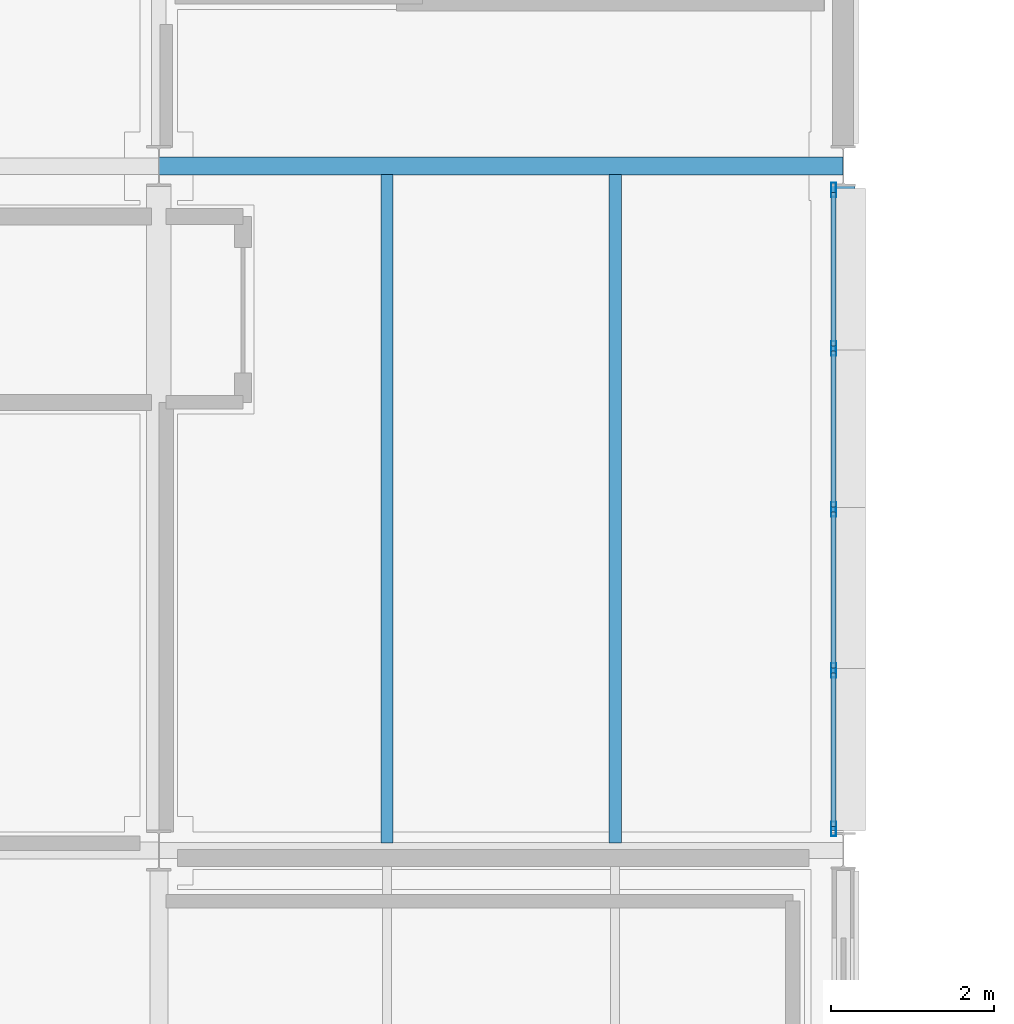
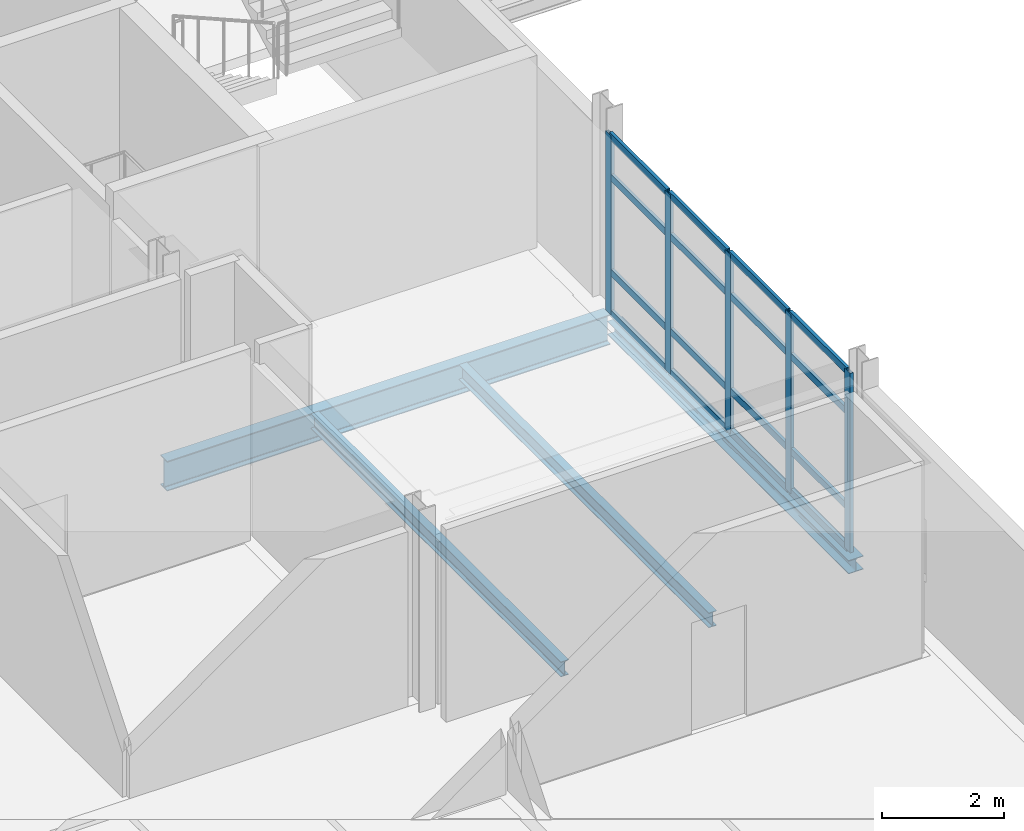
# One storey, part 94 of 131: 21 members, 4 beams, 1 element without a shape of its own.
"""IFC4 building model written with IfcOpenShell, lengths in metres."""

from ifc_helpers import new_model, si_unit, direction, frame, origin, origin_2d, place, context, subcontext, project, spatial, hollow_rectangle, i_section, extrude, material, material_profile, profile_set, type_object, element, aggregate, save


model = new_model("IFC4")

# Units and contexts
model_context = context("Model", 3, precision=1e-05, world=origin(), true_north=direction((0.0, 1.0)))
body_context = subcontext(model_context, "Body", "Model", "MODEL_VIEW")
ifc_project = project(units=[si_unit("LENGTHUNIT", "METRE"), si_unit("AREAUNIT", "SQUARE_METRE"), si_unit("VOLUMEUNIT", "CUBIC_METRE"), si_unit("PLANEANGLEUNIT", "RADIAN"), si_unit("MASSUNIT", "GRAM", prefix="KILO")], contexts=[model_context])

# Site, building, storey
site_placement = place(None, origin())
site = spatial("IfcSite", under=ifc_project, at=site_placement, CompositionType="ELEMENT")
building_placement = place(site_placement, origin())
building = spatial("IfcBuilding", under=site, at=building_placement, Name="Mersafa Astral City Hall", CompositionType="ELEMENT")
storey_placement = place(building_placement, frame((0.0, 0.0, 13.949951171875)))
storey = spatial("IfcBuildingStorey", under=building, at=storey_placement, Name="L03", CompositionType="ELEMENT", Elevation=13.949951171875)

# Curtain wall, members
ifc_material_1 = material(Name="Anodised bronze aluminium framing", Category="aluminium")
curtain_wall_type = type_object("IfcCurtainWallType", Name="ENV-CW-6", PredefinedType="USERDEFINED", material=ifc_material_1)
curtain_wall_placement = place(storey_placement, origin())
curtain_wall = element("IfcCurtainWall", 1, at=curtain_wall_placement, inside=storey, type_object=curtain_wall_type, Name="L03 Unitised solar curtain wall 167", ObjectType="UNITISED CURTAIN WALL", PredefinedType="USERDEFINED")
ifc_material_profile_1 = material_profile(ifc_material_1, hollow_rectangle(XDim=0.06005859375, YDim=0.179931640625, WallThickness=0.00390625, at=origin_2d()), Name="RHS 60x180x4")
ifc_profile_set_1 = profile_set([ifc_material_profile_1], Name="Anodised bronze aluminium framing")
member_type_1 = type_object("IfcMemberType", Name="ENV-CW-MUL-1", PredefinedType="MULLION", material=ifc_profile_set_1)
member_1_placement = place(storey_placement, frame((176.280029296875, 101.06689453125, -0.001953125), z_axis=(0.0, 0.0, 1.0), x_axis=(-1.0, 0.0, 0.0)))
member_1 = element("IfcMember", 2, at=member_1_placement, type_object=member_type_1, Name="CW-6 mullion 1", PredefinedType="MULLION", context=body_context, shape_type="SweptSolid", body=[
    extrude(hollow_rectangle(XDim=0.06005859375, YDim=0.179931640625, WallThickness=0.00390625, at=origin_2d()), origin(), (0.0, 0.0, 1.0), 3.593994140625),
])
member_2_placement = place(storey_placement, frame((176.280029296875, 103.01220703125, -0.001953125), z_axis=(0.0, 0.0, 1.0), x_axis=(-1.0, 0.0, 0.0)))
member_2 = element("IfcMember", 3, at=member_2_placement, type_object=member_type_1, Name="CW-6 mullion 2", PredefinedType="MULLION", context=body_context, shape_type="SweptSolid", body=[
    extrude(hollow_rectangle(XDim=0.06005859375, YDim=0.179931640625, WallThickness=0.00390625, at=origin_2d()), origin(), (0.0, 0.0, 1.0), 3.593994140625),
])
member_3_placement = place(storey_placement, frame((176.280029296875, 104.987548828125, -0.001953125), z_axis=(0.0, 0.0, 1.0), x_axis=(-1.0, 0.0, 0.0)))
member_3 = element("IfcMember", 4, at=member_3_placement, type_object=member_type_1, Name="CW-6 mullion 3", PredefinedType="MULLION", context=body_context, shape_type="SweptSolid", body=[
    extrude(hollow_rectangle(XDim=0.06005859375, YDim=0.179931640625, WallThickness=0.00390625, at=origin_2d()), origin(), (0.0, 0.0, 1.0), 3.593994140625),
])
member_4_placement = place(storey_placement, frame((176.280029296875, 106.962646484375, -0.001953125), z_axis=(0.0, 0.0, 1.0), x_axis=(-1.0, 0.0, 0.0)))
member_4 = element("IfcMember", 5, at=member_4_placement, type_object=member_type_1, Name="CW-6 mullion 4", PredefinedType="MULLION", context=body_context, shape_type="SweptSolid", body=[
    extrude(hollow_rectangle(XDim=0.06005859375, YDim=0.179931640625, WallThickness=0.00390625, at=origin_2d()), origin(), (0.0, 0.0, 1.0), 3.593994140625),
])
member_5_placement = place(storey_placement, frame((176.280029296875, 108.907958984375, -0.001953125), z_axis=(0.0, 0.0, 1.0), x_axis=(-1.0, 0.0, 0.0)))
member_5 = element("IfcMember", 6, at=member_5_placement, type_object=member_type_1, Name="CW-6 mullion 5", PredefinedType="MULLION", context=body_context, shape_type="SweptSolid", body=[
    extrude(hollow_rectangle(XDim=0.06005859375, YDim=0.179931640625, WallThickness=0.00390625, at=origin_2d()), origin(), (0.0, 0.0, 1.0), 3.593994140625),
])
ifc_material_profile_2 = material_profile(ifc_material_1, hollow_rectangle(XDim=0.06005859375, YDim=0.139892578125, WallThickness=0.00390625, at=origin_2d()), Name="RHS 60x140x4")
ifc_profile_set_2 = profile_set([ifc_material_profile_2], Name="Anodised bronze aluminium framing")
member_type_2 = type_object("IfcMemberType", Name="ENV-CW-TRN-1", PredefinedType="USERDEFINED", material=ifc_profile_set_2)
member_6_placement = place(storey_placement, frame((176.280029296875, 101.096923828125, 0.028076171875), z_axis=(0.0, 1.0, 0.0), x_axis=(-1.0, 0.0, 0.0)))
member_6 = element("IfcMember", 7, at=member_6_placement, type_object=member_type_2, Name="CW-6 transom 1.1", ObjectType="TRANSOM", PredefinedType="USERDEFINED", context=body_context, shape_type="SweptSolid", body=[
    extrude(hollow_rectangle(XDim=0.06005859375, YDim=0.139892578125, WallThickness=0.00390625, at=origin_2d()), origin(), (0.0, 0.0, 1.0), 1.88525390625),
])
member_7_placement = place(storey_placement, frame((176.280029296875, 101.096923828125, 0.85009765625), z_axis=(0.0, 1.0, 0.0), x_axis=(-1.0, 0.0, 0.0)))
member_7 = element("IfcMember", 8, at=member_7_placement, type_object=member_type_2, Name="CW-6 transom 1.2", ObjectType="TRANSOM", PredefinedType="USERDEFINED", context=body_context, shape_type="SweptSolid", body=[
    extrude(hollow_rectangle(XDim=0.06005859375, YDim=0.139892578125, WallThickness=0.00390625, at=origin_2d()), origin(), (0.0, 0.0, 1.0), 1.88525390625),
])
member_8_placement = place(storey_placement, frame((176.280029296875, 101.096923828125, 2.75), z_axis=(0.0, 1.0, 0.0), x_axis=(-1.0, 0.0, 0.0)))
member_8 = element("IfcMember", 9, at=member_8_placement, type_object=member_type_2, Name="CW-6 transom 1.3", ObjectType="TRANSOM", PredefinedType="USERDEFINED", context=body_context, shape_type="SweptSolid", body=[
    extrude(hollow_rectangle(XDim=0.06005859375, YDim=0.139892578125, WallThickness=0.00390625, at=origin_2d()), origin(), (0.0, 0.0, 1.0), 1.88525390625),
])
member_9_placement = place(storey_placement, frame((176.280029296875, 101.096923828125, 3.56201171875), z_axis=(0.0, 1.0, 0.0), x_axis=(-1.0, 0.0, 0.0)))
member_9 = element("IfcMember", 10, at=member_9_placement, type_object=member_type_2, Name="CW-6 transom 1.4", ObjectType="TRANSOM", PredefinedType="USERDEFINED", context=body_context, shape_type="SweptSolid", body=[
    extrude(hollow_rectangle(XDim=0.06005859375, YDim=0.139892578125, WallThickness=0.00390625, at=origin_2d()), origin(), (0.0, 0.0, 1.0), 1.88525390625),
])
member_10_placement = place(storey_placement, frame((176.280029296875, 103.042236328125, 0.028076171875), z_axis=(0.0, 1.0, 0.0), x_axis=(-1.0, 0.0, 0.0)))
member_10 = element("IfcMember", 11, at=member_10_placement, type_object=member_type_2, Name="CW-6 transom 2.1", ObjectType="TRANSOM", PredefinedType="USERDEFINED", context=body_context, shape_type="SweptSolid", body=[
    extrude(hollow_rectangle(XDim=0.06005859375, YDim=0.139892578125, WallThickness=0.00390625, at=origin_2d()), origin(), (0.0, 0.0, 1.0), 1.915283203125),
])
member_11_placement = place(storey_placement, frame((176.280029296875, 103.042236328125, 0.85009765625), z_axis=(0.0, 1.0, 0.0), x_axis=(-1.0, 0.0, 0.0)))
member_11 = element("IfcMember", 12, at=member_11_placement, type_object=member_type_2, Name="CW-6 transom 2.2", ObjectType="TRANSOM", PredefinedType="USERDEFINED", context=body_context, shape_type="SweptSolid", body=[
    extrude(hollow_rectangle(XDim=0.06005859375, YDim=0.139892578125, WallThickness=0.00390625, at=origin_2d()), origin(), (0.0, 0.0, 1.0), 1.915283203125),
])
member_12_placement = place(storey_placement, frame((176.280029296875, 103.042236328125, 2.75), z_axis=(0.0, 1.0, 0.0), x_axis=(-1.0, 0.0, 0.0)))
member_12 = element("IfcMember", 13, at=member_12_placement, type_object=member_type_2, Name="CW-6 transom 2.3", ObjectType="TRANSOM", PredefinedType="USERDEFINED", context=body_context, shape_type="SweptSolid", body=[
    extrude(hollow_rectangle(XDim=0.06005859375, YDim=0.139892578125, WallThickness=0.00390625, at=origin_2d()), origin(), (0.0, 0.0, 1.0), 1.915283203125),
])
member_13_placement = place(storey_placement, frame((176.280029296875, 103.042236328125, 3.56201171875), z_axis=(0.0, 1.0, 0.0), x_axis=(-1.0, 0.0, 0.0)))
member_13 = element("IfcMember", 14, at=member_13_placement, type_object=member_type_2, Name="CW-6 transom 2.4", ObjectType="TRANSOM", PredefinedType="USERDEFINED", context=body_context, shape_type="SweptSolid", body=[
    extrude(hollow_rectangle(XDim=0.06005859375, YDim=0.139892578125, WallThickness=0.00390625, at=origin_2d()), origin(), (0.0, 0.0, 1.0), 1.915283203125),
])
member_14_placement = place(storey_placement, frame((176.280029296875, 105.017578125, 0.028076171875), z_axis=(0.0, 1.0, 0.0), x_axis=(-1.0, 0.0, 0.0)))
member_14 = element("IfcMember", 15, at=member_14_placement, type_object=member_type_2, Name="CW-6 transom 3.1", ObjectType="TRANSOM", PredefinedType="USERDEFINED", context=body_context, shape_type="SweptSolid", body=[
    extrude(hollow_rectangle(XDim=0.06005859375, YDim=0.139892578125, WallThickness=0.00390625, at=origin_2d()), origin(), (0.0, 0.0, 1.0), 1.915283203125),
])
member_15_placement = place(storey_placement, frame((176.280029296875, 105.017578125, 0.85009765625), z_axis=(0.0, 1.0, 0.0), x_axis=(-1.0, 0.0, 0.0)))
member_15 = element("IfcMember", 16, at=member_15_placement, type_object=member_type_2, Name="CW-6 transom 3.2", ObjectType="TRANSOM", PredefinedType="USERDEFINED", context=body_context, shape_type="SweptSolid", body=[
    extrude(hollow_rectangle(XDim=0.06005859375, YDim=0.139892578125, WallThickness=0.00390625, at=origin_2d()), origin(), (0.0, 0.0, 1.0), 1.915283203125),
])
member_16_placement = place(storey_placement, frame((176.280029296875, 105.017578125, 2.75), z_axis=(0.0, 1.0, 0.0), x_axis=(-1.0, 0.0, 0.0)))
member_16 = element("IfcMember", 17, at=member_16_placement, type_object=member_type_2, Name="CW-6 transom 3.3", ObjectType="TRANSOM", PredefinedType="USERDEFINED", context=body_context, shape_type="SweptSolid", body=[
    extrude(hollow_rectangle(XDim=0.06005859375, YDim=0.139892578125, WallThickness=0.00390625, at=origin_2d()), origin(), (0.0, 0.0, 1.0), 1.915283203125),
])
member_17_placement = place(storey_placement, frame((176.280029296875, 105.017578125, 3.56201171875), z_axis=(0.0, 1.0, 0.0), x_axis=(-1.0, 0.0, 0.0)))
member_17 = element("IfcMember", 18, at=member_17_placement, type_object=member_type_2, Name="CW-6 transom 3.4", ObjectType="TRANSOM", PredefinedType="USERDEFINED", context=body_context, shape_type="SweptSolid", body=[
    extrude(hollow_rectangle(XDim=0.06005859375, YDim=0.139892578125, WallThickness=0.00390625, at=origin_2d()), origin(), (0.0, 0.0, 1.0), 1.915283203125),
])
member_18_placement = place(storey_placement, frame((176.280029296875, 106.99267578125, 0.028076171875), z_axis=(0.0, 1.0, 0.0), x_axis=(-1.0, 0.0, 0.0)))
member_18 = element("IfcMember", 19, at=member_18_placement, type_object=member_type_2, Name="CW-6 transom 4.1", ObjectType="TRANSOM", PredefinedType="USERDEFINED", context=body_context, shape_type="SweptSolid", body=[
    extrude(hollow_rectangle(XDim=0.06005859375, YDim=0.139892578125, WallThickness=0.00390625, at=origin_2d()), origin(), (0.0, 0.0, 1.0), 1.88525390625),
])
member_19_placement = place(storey_placement, frame((176.280029296875, 106.99267578125, 0.85009765625), z_axis=(0.0, 1.0, 0.0), x_axis=(-1.0, 0.0, 0.0)))
member_19 = element("IfcMember", 20, at=member_19_placement, type_object=member_type_2, Name="CW-6 transom 4.2", ObjectType="TRANSOM", PredefinedType="USERDEFINED", context=body_context, shape_type="SweptSolid", body=[
    extrude(hollow_rectangle(XDim=0.06005859375, YDim=0.139892578125, WallThickness=0.00390625, at=origin_2d()), origin(), (0.0, 0.0, 1.0), 1.88525390625),
])
member_20_placement = place(storey_placement, frame((176.280029296875, 106.99267578125, 2.75), z_axis=(0.0, 1.0, 0.0), x_axis=(-1.0, 0.0, 0.0)))
member_20 = element("IfcMember", 21, at=member_20_placement, type_object=member_type_2, Name="CW-6 transom 4.3", ObjectType="TRANSOM", PredefinedType="USERDEFINED", context=body_context, shape_type="SweptSolid", body=[
    extrude(hollow_rectangle(XDim=0.06005859375, YDim=0.139892578125, WallThickness=0.00390625, at=origin_2d()), origin(), (0.0, 0.0, 1.0), 1.88525390625),
])
member_21_placement = place(storey_placement, frame((176.280029296875, 106.99267578125, 3.56201171875), z_axis=(0.0, 1.0, 0.0), x_axis=(-1.0, 0.0, 0.0)))
member_21 = element("IfcMember", 22, at=member_21_placement, type_object=member_type_2, Name="CW-6 transom 4.4", ObjectType="TRANSOM", PredefinedType="USERDEFINED", context=body_context, shape_type="SweptSolid", body=[
    extrude(hollow_rectangle(XDim=0.06005859375, YDim=0.139892578125, WallThickness=0.00390625, at=origin_2d()), origin(), (0.0, 0.0, 1.0), 1.88525390625),
])
aggregate(curtain_wall, [member_1, member_2, member_3, member_4, member_5, member_6, member_7, member_8, member_9, member_10, member_11, member_12, member_13, member_14, member_15, member_16, member_17, member_18, member_19, member_20, member_21])

# Beams
ifc_material_2 = material(Name="Steel S355", Category="steel")
ifc_material_profile_3 = material_profile(ifc_material_2, i_section(OverallWidth=0.219970703125, OverallDepth=0.60009765625, WebThickness=0.011962890625, FlangeThickness=0.01904296875, FilletRadius=0.02392578125, at=origin_2d()), Name="IPE 600")
ifc_profile_set_3 = profile_set([ifc_material_profile_3], Name="Steel S355")
beam_type_1 = type_object("IfcBeamType", Name="STR-BM-IPE600", PredefinedType="BEAM", material=ifc_profile_set_3)
beam_1_placement = place(storey_placement, frame((168.0029296875, 109.199951171875, -0.5), z_axis=(1.0, 0.0, 0.0), x_axis=(0.0, 1.0, 0.0)))
element("IfcBeam", 23, at=beam_1_placement, inside=storey, type_object=beam_type_1, Name="L03 Primary girder X 20-13", PredefinedType="BEAM", context=body_context, shape_type="SweptSolid", body=[
    extrude(i_section(OverallWidth=0.219970703125, OverallDepth=0.60009765625, WebThickness=0.011962890625, FlangeThickness=0.01904296875, FilletRadius=0.02392578125, at=origin_2d()), origin(), (0.0, 0.0, 1.0), 8.39404296875),
])
ifc_material_profile_4 = material_profile(ifc_material_2, i_section(OverallWidth=0.14990234375, OverallDepth=0.300048828125, WebThickness=0.007080078125, FlangeThickness=0.0107421875, FilletRadius=0.014892578125, at=origin_2d()), Name="IPE 300")
ifc_profile_set_4 = profile_set([ifc_material_profile_4], Name="Steel S355")
beam_type_2 = type_object("IfcBeamType", Name="STR-BM-JOIST-IPE300", PredefinedType="JOIST", material=ifc_profile_set_4)
for number, where, z_axis, x_axis, name in (
    (24, (170.800048828125, 100.89501953125, -0.349853515625), (0.0, 1.0, 0.0), (-1.0, 0.0, 0.0), "L03 Composite secondary floor joist 679"),
    (25, (173.60009765625, 100.89501953125, -0.349853515625), (0.0, 1.0, 0.0), (-1.0, 0.0, 0.0), "L03 Composite secondary floor joist 680"),
):
    element("IfcBeam", number, at=place(storey_placement, frame(where, z_axis=z_axis, x_axis=x_axis)), inside=storey, type_object=beam_type_2, Name=name, PredefinedType="JOIST", context=body_context, shape_type="SweptSolid", body=[
        extrude(i_section(OverallWidth=0.14990234375, OverallDepth=0.300048828125, WebThickness=0.007080078125, FlangeThickness=0.0107421875, FilletRadius=0.014892578125, at=origin_2d()), origin(), (0.0, 0.0, 1.0), 8.199951171875),
    ])
ifc_material_profile_5 = material_profile(ifc_material_2, i_section(OverallWidth=0.280029296875, OverallDepth=0.27001953125, WebThickness=0.008056640625, FlangeThickness=0.012939453125, FilletRadius=0.02392578125, at=origin_2d()), Name="HEA 280")
ifc_profile_set_5 = profile_set([ifc_material_profile_5], Name="Steel S355")
beam_type_3 = type_object("IfcBeamType", Name="STR-BM-SPANDREL-HEA280", PredefinedType="SPANDREL", material=ifc_profile_set_5)
beam_2_placement = place(storey_placement, frame((176.39990234375, 101.044921875, -0.3349609375), z_axis=(0.0, 1.0, 0.0), x_axis=(-1.0, 0.0, 0.0)))
element("IfcBeam", 26, at=beam_2_placement, inside=storey, type_object=beam_type_3, Name="L03 Primary girder Y 21-12", PredefinedType="SPANDREL", context=body_context, shape_type="SweptSolid", body=[
    extrude(i_section(OverallWidth=0.280029296875, OverallDepth=0.27001953125, WebThickness=0.008056640625, FlangeThickness=0.012939453125, FilletRadius=0.02392578125, at=origin_2d()), origin(), (0.0, 0.0, 1.0), 7.91015625),
])

save(model, "model.ifc")
